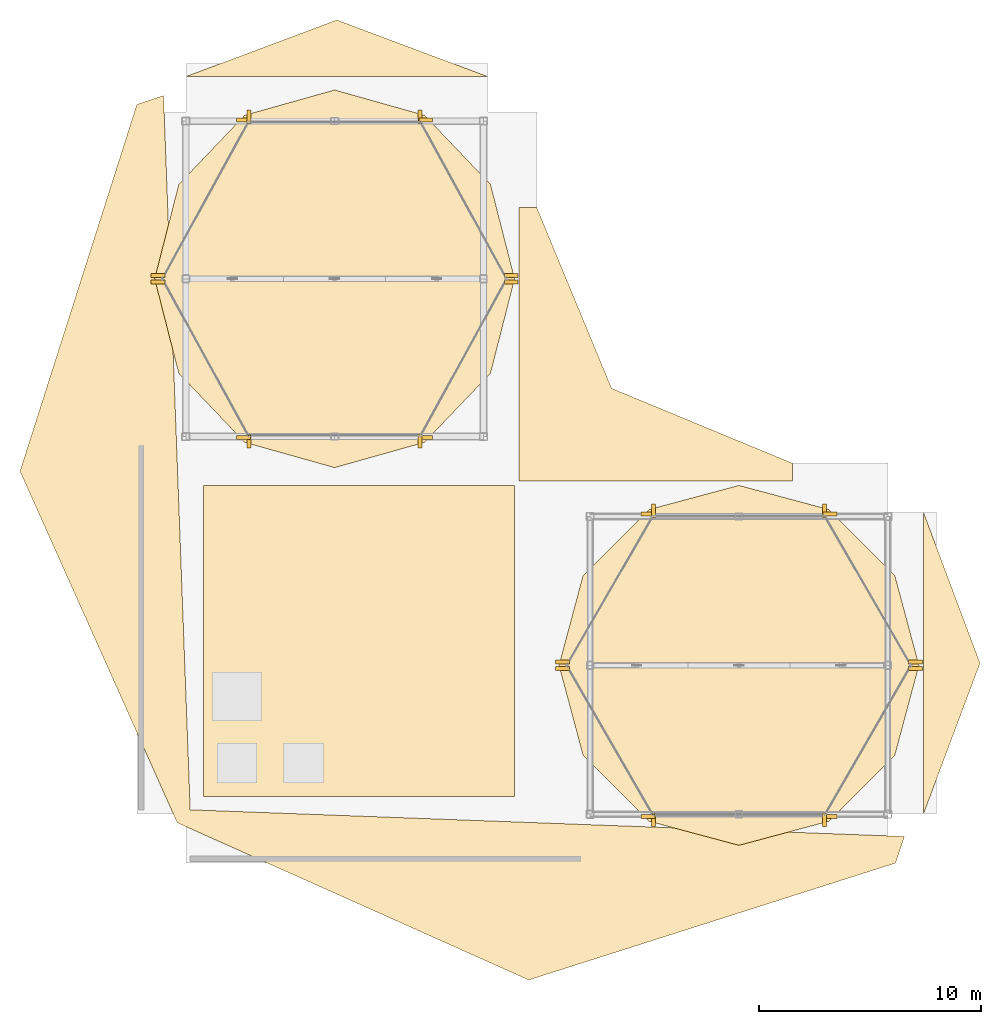
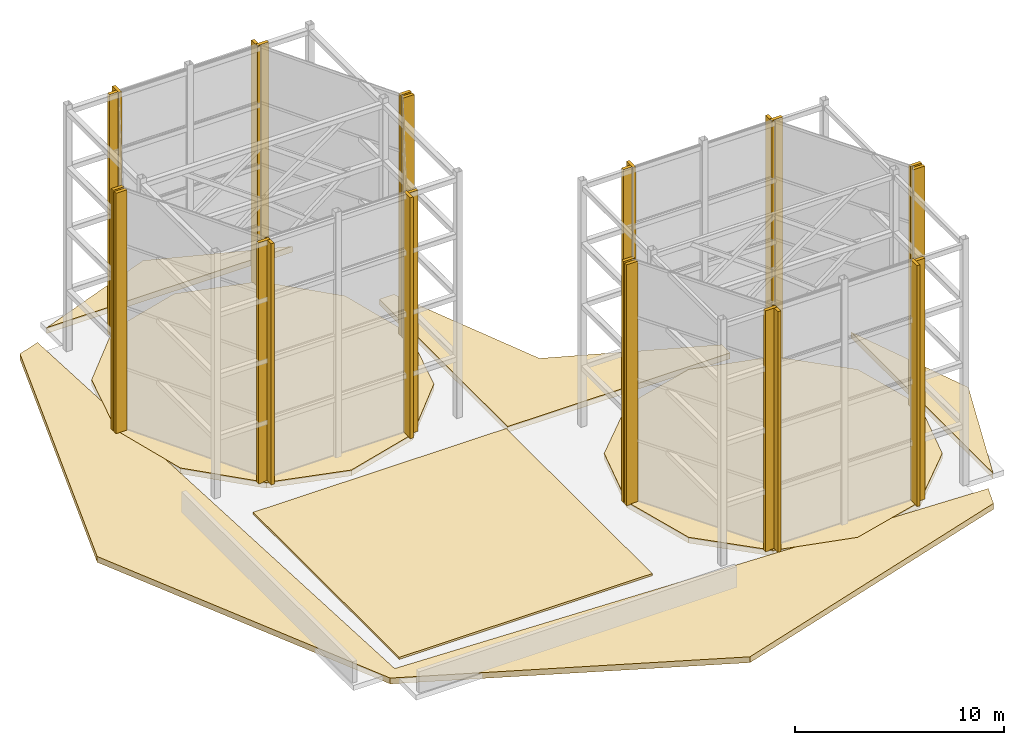
# One storey, part 24 of 24: 31 coverings.
"""IFC4 building model written with IfcOpenShell, lengths in metres."""

from ifc_helpers import new_model, si_unit, direction, frame, origin, origin_2d, place, context, subcontext, project, spatial, polyline, rectangle, outline, extrude, material, layer, layer_set, type_object, element, save


model = new_model("IFC4")

# Units and contexts
model_context = context("Model", 3, precision=1e-05, world=origin(), true_north=direction((0.0, 1.0)))
body_context = subcontext(model_context, "Body", "Model", "MODEL_VIEW")
ifc_project = project(units=[si_unit("LENGTHUNIT", "METRE"), si_unit("AREAUNIT", "SQUARE_METRE"), si_unit("VOLUMEUNIT", "CUBIC_METRE"), si_unit("PLANEANGLEUNIT", "RADIAN"), si_unit("MASSUNIT", "GRAM", prefix="KILO")], contexts=[model_context])

# Site, building, storey
site_placement = place(None, origin())
site = spatial("IfcSite", under=ifc_project, at=site_placement, CompositionType="ELEMENT")
building_placement = place(site_placement, origin())
building = spatial("IfcBuilding", under=site, at=building_placement, Name="Solvaryn Broadcast Tower", CompositionType="ELEMENT")
storey_placement = place(building_placement, frame((0.0, 0.0, 307.800048828125)))
storey = spatial("IfcBuildingStorey", under=building, at=storey_placement, Name="Roof Main", CompositionType="ELEMENT", Elevation=307.800048828125)

# Coverings
ifc_material_1 = material(Name="Insulated Protected Membrane Roofing", Category="concrete")
ifc_layer_1 = layer(ifc_material_1, 0.1201171875)
ifc_layer_set_1 = layer_set([ifc_layer_1], Name="CV-ROOF-MEMB")
covering_type_1 = type_object("IfcCoveringType", Name="CV-ROOF-MEMB", PredefinedType="ROOFING", material=ifc_layer_set_1)
covering_1_placement = place(storey_placement, origin())
element("IfcCovering", 1, at=covering_1_placement, inside=storey, type_object=covering_type_1, Name="Central Sky-Slot Roof Membrane", PredefinedType="ROOFING", context=body_context, shape_type="SweptSolid", body=[
    extrude(outline(polyline([(12.0, 12.0), (26.0, 12.0), (26.0, 26.0), (12.0, 26.0), (12.0, 12.0)])), origin(), (0.0, 0.0, 1.0), 0.119873046875),
])
ifc_material_2 = material(Name="Extruded Architectural Terracotta Fin", Category="masonry")
ifc_layer_2 = layer(ifc_material_2, 0.179931640625)
ifc_layer_set_2 = layer_set([ifc_layer_2], Name="CV-TC-FIN")
covering_type_2 = type_object("IfcCoveringType", Name="CV-TC-FIN", PredefinedType="USERDEFINED", material=ifc_layer_set_2)
for number, where, z_axis, x_axis, name in (
    (2, (25.845703125, 35.4423828125, 0.0), (0.0, 0.0, 1.0), (1.0, 0.0, 0.0), "Roof Main Terracotta Vertical Fin FIN-CR-W-RoofMain-1-M00"),
    (3, (21.99951171875, 42.44775390625, 0.0), (0.0, 0.0, 1.0), (1.0, 0.0, 0.0), "Roof Main Terracotta Vertical Fin FIN-CR-W-RoofMain-1-M01"),
):
    element("IfcCovering", number, at=place(storey_placement, frame(where, z_axis=z_axis, x_axis=x_axis)), inside=storey, type_object=covering_type_2, Name=name, ObjectType="FIN", PredefinedType="USERDEFINED", context=body_context, shape_type="SweptSolid", body=[
        extrude(rectangle(XDim=0.6201171875, YDim=0.179931640625, at=origin_2d()), origin(), (0.0, 0.0, 1.0), 14.10009765625),
    ])
for number, where, z_axis, x_axis, name in (
    (4, (21.7451171875, 42.597900390625, 0.0), (0.0, 0.0, 1.0), (1.0, 0.0, 0.0), "Roof Main Terracotta Vertical Fin FIN-CR-W-RoofMain-2-M00"),
    (5, (14.054931640625, 42.597900390625, 0.0), (0.0, 0.0, 1.0), (1.0, 0.0, 0.0), "Roof Main Terracotta Vertical Fin FIN-CR-W-RoofMain-2-M01"),
):
    element("IfcCovering", number, at=place(storey_placement, frame(where, z_axis=z_axis, x_axis=x_axis)), inside=storey, type_object=covering_type_2, Name=name, ObjectType="FIN", PredefinedType="USERDEFINED", context=body_context, shape_type="SweptSolid", body=[
        extrude(rectangle(XDim=0.179931640625, YDim=0.6201171875, at=origin_2d()), origin(), (0.0, 0.0, 1.0), 14.10009765625),
    ])
for number, where, z_axis, x_axis, name in (
    (6, (13.800537109375, 42.44775390625, 0.0), (0.0, 0.0, 1.0), (1.0, 0.0, 0.0), "Roof Main Terracotta Vertical Fin FIN-CR-W-RoofMain-3-M00"),
    (7, (9.954345703125, 35.4423828125, 0.0), (0.0, 0.0, 1.0), (1.0, 0.0, 0.0), "Roof Main Terracotta Vertical Fin FIN-CR-W-RoofMain-3-M01"),
    (8, (9.954345703125, 35.15771484375, 0.0), (0.0, 0.0, 1.0), (1.0, 0.0, 0.0), "Roof Main Terracotta Vertical Fin FIN-CR-W-RoofMain-4-M00"),
    (9, (13.800537109375, 28.15234375, 0.0), (0.0, 0.0, 1.0), (1.0, 0.0, 0.0), "Roof Main Terracotta Vertical Fin FIN-CR-W-RoofMain-4-M01"),
):
    element("IfcCovering", number, at=place(storey_placement, frame(where, z_axis=z_axis, x_axis=x_axis)), inside=storey, type_object=covering_type_2, Name=name, ObjectType="FIN", PredefinedType="USERDEFINED", context=body_context, shape_type="SweptSolid", body=[
        extrude(rectangle(XDim=0.6201171875, YDim=0.179931640625, at=origin_2d()), origin(), (0.0, 0.0, 1.0), 14.10009765625),
    ])
for number, where, z_axis, x_axis, name in (
    (10, (14.054931640625, 28.001953125, 0.0), (0.0, 0.0, 1.0), (1.0, 0.0, 0.0), "Roof Main Terracotta Vertical Fin FIN-CR-W-RoofMain-5-M00"),
    (11, (21.7451171875, 28.001953125, 0.0), (0.0, 0.0, 1.0), (1.0, 0.0, 0.0), "Roof Main Terracotta Vertical Fin FIN-CR-W-RoofMain-5-M01"),
):
    element("IfcCovering", number, at=place(storey_placement, frame(where, z_axis=z_axis, x_axis=x_axis)), inside=storey, type_object=covering_type_2, Name=name, ObjectType="FIN", PredefinedType="USERDEFINED", context=body_context, shape_type="SweptSolid", body=[
        extrude(rectangle(XDim=0.179931640625, YDim=0.6201171875, at=origin_2d()), origin(), (0.0, 0.0, 1.0), 14.10009765625),
    ])
for number, where, z_axis, x_axis, name in (
    (12, (21.99951171875, 28.15234375, 0.0), (0.0, 0.0, 1.0), (1.0, 0.0, 0.0), "Roof Main Terracotta Vertical Fin FIN-CR-W-RoofMain-6-M00"),
    (13, (25.845703125, 35.15771484375, 0.0), (0.0, 0.0, 1.0), (1.0, 0.0, 0.0), "Roof Main Terracotta Vertical Fin FIN-CR-W-RoofMain-6-M01"),
    (14, (44.04296875, 18.0458984375, 0.0), (0.0, 0.0, 1.0), (1.0, 0.0, 0.0), "Roof Main Terracotta Vertical Fin FIN-CR-E-RoofMain-1-M00"),
    (15, (40.197998046875, 24.7060546875, 0.0), (0.0, 0.0, 1.0), (1.0, 0.0, 0.0), "Roof Main Terracotta Vertical Fin FIN-CR-E-RoofMain-1-M01"),
):
    element("IfcCovering", number, at=place(storey_placement, frame(where, z_axis=z_axis, x_axis=x_axis)), inside=storey, type_object=covering_type_2, Name=name, ObjectType="FIN", PredefinedType="USERDEFINED", context=body_context, shape_type="SweptSolid", body=[
        extrude(rectangle(XDim=0.6201171875, YDim=0.179931640625, at=origin_2d()), origin(), (0.0, 0.0, 1.0), 14.10009765625),
    ])
for number, where, z_axis, x_axis, name in (
    (16, (39.945068359375, 24.85205078125, 0.0), (0.0, 0.0, 1.0), (1.0, 0.0, 0.0), "Roof Main Terracotta Vertical Fin FIN-CR-E-RoofMain-2-M00"),
    (17, (32.2548828125, 24.85205078125, 0.0), (0.0, 0.0, 1.0), (1.0, 0.0, 0.0), "Roof Main Terracotta Vertical Fin FIN-CR-E-RoofMain-2-M01"),
):
    element("IfcCovering", number, at=place(storey_placement, frame(where, z_axis=z_axis, x_axis=x_axis)), inside=storey, type_object=covering_type_2, Name=name, ObjectType="FIN", PredefinedType="USERDEFINED", context=body_context, shape_type="SweptSolid", body=[
        extrude(rectangle(XDim=0.179931640625, YDim=0.6201171875, at=origin_2d()), origin(), (0.0, 0.0, 1.0), 14.10009765625),
    ])
for number, where, z_axis, x_axis, name in (
    (18, (32.001953125, 24.7060546875, 0.0), (0.0, 0.0, 1.0), (1.0, 0.0, 0.0), "Roof Main Terracotta Vertical Fin FIN-CR-E-RoofMain-3-M00"),
    (19, (28.156982421875, 18.0458984375, 0.0), (0.0, 0.0, 1.0), (1.0, 0.0, 0.0), "Roof Main Terracotta Vertical Fin FIN-CR-E-RoofMain-3-M01"),
    (20, (28.156982421875, 17.75390625, 0.0), (0.0, 0.0, 1.0), (1.0, 0.0, 0.0), "Roof Main Terracotta Vertical Fin FIN-CR-E-RoofMain-4-M00"),
    (21, (32.001953125, 11.093994140625, 0.0), (0.0, 0.0, 1.0), (1.0, 0.0, 0.0), "Roof Main Terracotta Vertical Fin FIN-CR-E-RoofMain-4-M01"),
):
    element("IfcCovering", number, at=place(storey_placement, frame(where, z_axis=z_axis, x_axis=x_axis)), inside=storey, type_object=covering_type_2, Name=name, ObjectType="FIN", PredefinedType="USERDEFINED", context=body_context, shape_type="SweptSolid", body=[
        extrude(rectangle(XDim=0.6201171875, YDim=0.179931640625, at=origin_2d()), origin(), (0.0, 0.0, 1.0), 14.10009765625),
    ])
for number, where, z_axis, x_axis, name in (
    (22, (32.2548828125, 10.947998046875, 0.0), (0.0, 0.0, 1.0), (1.0, 0.0, 0.0), "Roof Main Terracotta Vertical Fin FIN-CR-E-RoofMain-5-M00"),
    (23, (39.945068359375, 10.947998046875, 0.0), (0.0, 0.0, 1.0), (1.0, 0.0, 0.0), "Roof Main Terracotta Vertical Fin FIN-CR-E-RoofMain-5-M01"),
):
    element("IfcCovering", number, at=place(storey_placement, frame(where, z_axis=z_axis, x_axis=x_axis)), inside=storey, type_object=covering_type_2, Name=name, ObjectType="FIN", PredefinedType="USERDEFINED", context=body_context, shape_type="SweptSolid", body=[
        extrude(rectangle(XDim=0.179931640625, YDim=0.6201171875, at=origin_2d()), origin(), (0.0, 0.0, 1.0), 14.10009765625),
    ])
for number, where, z_axis, x_axis, name in (
    (24, (40.197998046875, 11.093994140625, 0.0), (0.0, 0.0, 1.0), (1.0, 0.0, 0.0), "Roof Main Terracotta Vertical Fin FIN-CR-E-RoofMain-6-M00"),
    (25, (44.04296875, 17.75390625, 0.0), (0.0, 0.0, 1.0), (1.0, 0.0, 0.0), "Roof Main Terracotta Vertical Fin FIN-CR-E-RoofMain-6-M01"),
):
    element("IfcCovering", number, at=place(storey_placement, frame(where, z_axis=z_axis, x_axis=x_axis)), inside=storey, type_object=covering_type_2, Name=name, ObjectType="FIN", PredefinedType="USERDEFINED", context=body_context, shape_type="SweptSolid", body=[
        extrude(rectangle(XDim=0.6201171875, YDim=0.179931640625, at=origin_2d()), origin(), (0.0, 0.0, 1.0), 14.10009765625),
    ])
ifc_material_3 = material(Name="Sculpted Architectural Terracotta Wave Fascia", Category="masonry")
ifc_layer_3 = layer(ifc_material_3, 0.340087890625)
ifc_layer_set_3 = layer_set([ifc_layer_3], Name="CV-WAVE-TRAY")
covering_type_3 = type_object("IfcCoveringType", Name="CV-WAVE-TRAY", PredefinedType="CLADDING", material=ifc_layer_set_3)
covering_2_placement = place(storey_placement, frame((0.0, 0.0, -0.300048828125)))
element("IfcCovering", 26, at=covering_2_placement, inside=storey, type_object=covering_type_3, Name="Roof Main Curved Drum Roof Closure", PredefinedType="CLADDING", context=body_context, shape_type="SweptSolid", body=[
    extrude(outline(polyline([(10.199951171875, 43.549072265625), (9.0, 43.14892578125), (3.738037109375, 26.635986328125), (10.81689453125, 10.81689453125), (26.635986328125, 3.738037109375), (43.14892578125, 9.0), (43.14892578125, 9.0), (43.549072265625, 10.199951171875), (11.39990234375, 11.39990234375), (10.199951171875, 43.549072265625)])), origin(), (0.0, 0.0, 1.0), 0.340087890625),
])
covering_3_placement = place(storey_placement, frame((0.0, 0.0, -0.300048828125)))
element("IfcCovering", 27, at=covering_3_placement, inside=storey, type_object=covering_type_3, Name="Roof Main Curved Canyon Roof Closure", PredefinedType="CLADDING", context=body_context, shape_type="SweptSolid", body=[
    extrude(outline(polyline([(26.199951171875, 26.199951171875), (38.5, 26.199951171875), (38.5, 27.0), (30.367919921875, 30.367919921875), (27.0, 38.5), (26.199951171875, 38.5), (26.199951171875, 26.199951171875)])), origin(), (0.0, 0.0, 1.0), 0.340087890625),
])
covering_4_placement = place(storey_placement, frame((0.0, 0.0, -0.300048828125)))
element("IfcCovering", 28, at=covering_4_placement, inside=storey, type_object=covering_type_3, Name="Roof Main Curved Ntip Roof Closure", PredefinedType="CLADDING", context=body_context, shape_type="SweptSolid", body=[
    extrude(outline(polyline([(11.199951171875, 44.39990234375), (24.800048828125, 44.39990234375), (18.0, 46.949951171875), (11.199951171875, 44.39990234375)])), origin(), (0.0, 0.0, 1.0), 0.340087890625),
])
covering_5_placement = place(storey_placement, frame((0.0, 0.0, -0.300048828125)))
element("IfcCovering", 29, at=covering_5_placement, inside=storey, type_object=covering_type_3, Name="Roof Main Curved Etip Roof Closure", PredefinedType="CLADDING", context=body_context, shape_type="SweptSolid", body=[
    extrude(outline(polyline([(44.39990234375, 11.199951171875), (46.949951171875, 18.0), (44.39990234375, 24.800048828125), (44.39990234375, 11.199951171875)])), origin(), (0.0, 0.0, 1.0), 0.340087890625),
])
covering_6_placement = place(storey_placement, frame((0.0, 0.0, -0.300048828125)))
element("IfcCovering", 30, at=covering_6_placement, inside=storey, type_object=covering_type_3, Name="Roof Main Crown Lantern Drum Base W", PredefinedType="CLADDING", context=body_context, shape_type="SweptSolid", body=[
    extrude(outline(polyline([(26.0, 35.300048828125), (24.9150390625, 39.550048828125), (21.949951171875, 42.660888671875), (17.89990234375, 43.800048828125), (13.85009765625, 42.660888671875), (10.885009765625, 39.550048828125), (9.800048828125, 35.300048828125), (10.885009765625, 31.050048828125), (13.85009765625, 27.93896484375), (17.89990234375, 26.800048828125), (21.949951171875, 27.93896484375), (24.9150390625, 31.050048828125), (26.0, 35.300048828125)])), origin(), (0.0, 0.0, 1.0), 0.340087890625),
])
covering_7_placement = place(storey_placement, frame((0.0, 0.0, -0.300048828125)))
element("IfcCovering", 31, at=covering_7_placement, inside=storey, type_object=covering_type_3, Name="Roof Main Crown Lantern Drum Base E", PredefinedType="CLADDING", context=body_context, shape_type="SweptSolid", body=[
    extrude(outline(polyline([(44.199951171875, 17.89990234375), (43.114990234375, 21.949951171875), (40.14990234375, 24.9150390625), (36.10009765625, 26.0), (32.050048828125, 24.9150390625), (29.0849609375, 21.949951171875), (28.0, 17.89990234375), (29.0849609375, 13.85009765625), (32.050048828125, 10.885009765625), (36.10009765625, 9.800048828125), (40.14990234375, 10.885009765625), (43.114990234375, 13.85009765625), (44.199951171875, 17.89990234375)])), origin(), (0.0, 0.0, 1.0), 0.340087890625),
])

save(model, "model.ifc")
